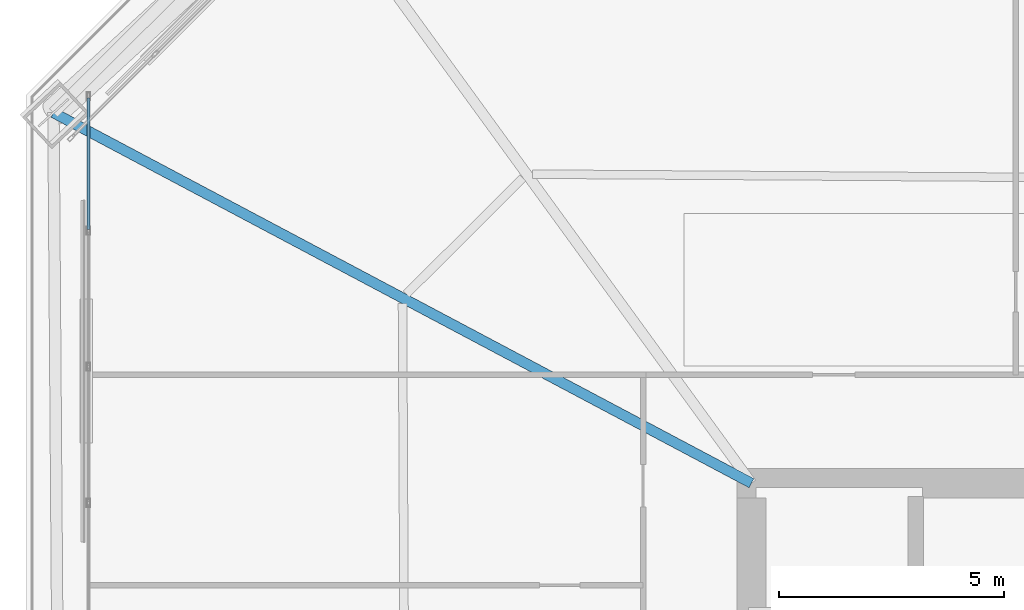
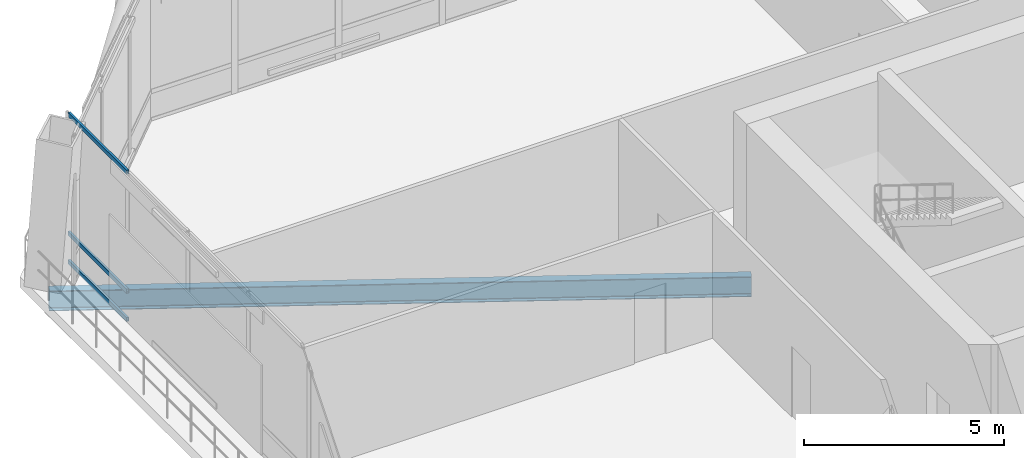
# One storey, part 30 of 48: 3 members, 1 beam, 1 element without a shape of its own.
"""IFC4 building model written with IfcOpenShell, lengths in metres."""

import ifcopenshell
import ifcopenshell.guid

model = None  # the IFC model being written
_history = None  # IfcOwnerHistory: only IFC2X3 demands one
_inside = {}  # id of a spatial element -> (the spatial element, [elements in it])
_under = {}  # id of a project, library or spatial element -> (it, [spatial elements below it])
_declared = {}  # id of a project -> (the project, [libraries it declares])
_typed = {}  # id of a type object -> (the type object, [elements of that type])
_made_of = {}  # id of a material, layer set ... -> (it, [elements and type objects made of it])


def new_model(schema):
    """Start an empty IFC model of exactly this schema.

    Asked for "IFC4X3", IfcOpenShell would pick the latest addendum, in which some entities
    have other attributes; the version numbers below select the first issue.
    IFC2X3 requires an IfcOwnerHistory on every rooted entity: one is made here for all.
    """
    global model, _history
    if schema == "IFC4X3":
        model = ifcopenshell.file(schema_version=(4, 3, 0, 0))
    else:
        model = ifcopenshell.file(schema=schema)
    _inside.clear()
    _under.clear()
    _declared.clear()
    _typed.clear()
    _made_of.clear()
    _history = None
    if model.schema == "IFC2X3":
        org = make("IfcOrganization", Name="unknown")
        user = make(
            "IfcPersonAndOrganization",
            ThePerson=make("IfcPerson", FamilyName="unknown"),
            TheOrganization=org,
        )
        app = make(
            "IfcApplication",
            ApplicationDeveloper=org,
            Version="unknown",
            ApplicationFullName="unknown",
            ApplicationIdentifier="unknown",
        )
        _history = make(
            "IfcOwnerHistory",
            OwningUser=user,
            OwningApplication=app,
            ChangeAction="ADDED",
            CreationDate=0,
        )
    return model


def make(cls, **values):
    """One entity of the class cls with the attributes given. An attribute that is None is left unset."""
    return model.create_entity(
        cls, **{name: value for name, value in values.items() if value is not None}
    )


def rooted(cls, **values):
    """An entity with a GlobalId (a new one), such as an element, a storey or a relation."""
    return make(cls, GlobalId=ifcopenshell.guid.new(), OwnerHistory=_history, **values)


def si_unit(unit_type, name, prefix=None):
    """IfcSIUnit, for example si_unit("LENGTHUNIT", "METRE", prefix="MILLI")."""
    return make("IfcSIUnit", UnitType=unit_type, Prefix=prefix, Name=name)


def assignment(units):
    """IfcUnitAssignment: the units of a project."""
    return None if units is None else make("IfcUnitAssignment", Units=units)


def point(xyz):
    """IfcCartesianPoint."""
    return None if xyz is None else make("IfcCartesianPoint", Coordinates=xyz)


def direction(xyz):
    """IfcDirection."""
    return None if xyz is None else make("IfcDirection", DirectionRatios=xyz)


def frame(location, z_axis=None, x_axis=None):
    """IfcAxis2Placement3D, a coordinate frame: its origin and axes. An axis left out is left unset."""
    return make(
        "IfcAxis2Placement3D",
        Location=point(location),
        Axis=direction(z_axis),
        RefDirection=direction(x_axis),
    )


def frame_2d(location, x_axis=None):
    """IfcAxis2Placement2D, a coordinate frame in the plane: its origin and x axis."""
    return make(
        "IfcAxis2Placement2D", Location=point(location), RefDirection=direction(x_axis)
    )


def origin():
    """The frame at (0, 0, 0) with its axes left unset."""
    return frame((0.0, 0.0, 0.0))


def origin_2d():
    """The frame at (0, 0) in the plane with its x axis left unset."""
    return frame_2d((0.0, 0.0))


def place(relative_to, where):
    """IfcLocalPlacement: puts the frame where relative to a parent placement (None: the world)."""
    return make(
        "IfcLocalPlacement", PlacementRelTo=relative_to, RelativePlacement=where
    )


def context(
    kind, dimensions, precision=None, world=None, true_north=None, identifier=None
):
    """IfcGeometricRepresentationContext, for example the 3D "Model" context."""
    return make(
        "IfcGeometricRepresentationContext",
        ContextIdentifier=identifier,
        ContextType=kind,
        CoordinateSpaceDimension=dimensions,
        Precision=precision,
        WorldCoordinateSystem=world,
        TrueNorth=true_north,
    )


def subcontext(parent, identifier, kind, view, scale=None):
    """IfcGeometricRepresentationSubContext, for example "Body" below "Model"."""
    return make(
        "IfcGeometricRepresentationSubContext",
        ContextIdentifier=identifier,
        ContextType=kind,
        ParentContext=parent,
        TargetScale=scale,
        TargetView=view,
    )


def project(units=None, contexts=None):
    """IfcProject with its units and contexts."""
    return rooted(
        "IfcProject",
        Name="project",
        RepresentationContexts=contexts,
        UnitsInContext=assignment(units),
    )


def spatial(cls, under=None, at=None, **own):
    """A site, building, storey or space (cls), placed at a placement, below another one or the project."""
    s = rooted(cls, ObjectPlacement=at, **own)
    if under is not None:
        _under.setdefault(under.id(), (under, []))[1].append(s)
    return s


def profile(cls, at=None, kind="AREA", **sizes):
    """A parametric profile (cls). Its sizes go by their IFC names, for example OverallWidth=200.0."""
    return make(cls, ProfileType=kind, Position=at, **sizes)


def hollow_rectangle(**sizes):
    """IfcRectangleHollowProfileDef."""
    return profile("IfcRectangleHollowProfileDef", **sizes)


def i_section(**sizes):
    """IfcIShapeProfileDef."""
    return profile("IfcIShapeProfileDef", **sizes)


def extrude(swept, where, along, depth):
    """IfcExtrudedAreaSolid: the profile swept, set in the frame where, extruded along a direction by depth."""
    return make(
        "IfcExtrudedAreaSolid",
        SweptArea=swept,
        Position=where,
        ExtrudedDirection=direction(along),
        Depth=depth,
    )


def shape(context_of_items, identifier, shape_type, items):
    """IfcShapeRepresentation: the items that make up one representation, for example the "Body"."""
    return make(
        "IfcShapeRepresentation",
        ContextOfItems=context_of_items,
        RepresentationIdentifier=identifier,
        RepresentationType=shape_type,
        Items=items,
    )


def material(Name=None, Category=None):
    """IfcMaterial."""
    return make("IfcMaterial", Name=Name, Category=Category)


def layer(
    of_material, thickness, ventilated=None, Name=None, Category=None, Priority=None
):
    """IfcMaterialLayer: one layer of a wall or slab, of a material (None: an air gap)."""
    return make(
        "IfcMaterialLayer",
        Material=of_material,
        LayerThickness=thickness,
        IsVentilated=ventilated,
        Name=Name,
        Category=Category,
        Priority=Priority,
    )


def layer_set(layers, Name=None):
    """IfcMaterialLayerSet."""
    return make("IfcMaterialLayerSet", MaterialLayers=layers, LayerSetName=Name)


def material_profile(
    of_material, cross_section, Name=None, Category=None, Priority=None
):
    """IfcMaterialProfile: a cross section and its material."""
    return make(
        "IfcMaterialProfile",
        Name=Name,
        Material=of_material,
        Profile=cross_section,
        Priority=Priority,
        Category=Category,
    )


def profile_set(profiles, Name=None, composite=None):
    """IfcMaterialProfileSet."""
    return make(
        "IfcMaterialProfileSet",
        Name=Name,
        MaterialProfiles=profiles,
        CompositeProfile=composite,
    )


def made_of(thing, what):
    """Note that an element or type object is made of a material, layer set ...; save() writes the relation."""
    if what is not None:
        _made_of.setdefault(what.id(), (what, []))[1].append(thing)
    return thing


def type_object(cls, material=None, **own):
    """A type object (cls), such as IfcWallType, which elements share."""
    return made_of(rooted(cls, **own), material)


def element(
    cls,
    number,
    at=None,
    inside=None,
    cuts=None,
    type_object=None,
    material=None,
    context=None,
    identifier="Body",
    shape_type=None,
    held_by="IfcProductDefinitionShape",
    body=None,
    shapes=None,
    **own,
):
    """One element of the class cls, such as IfcWall. Its Tag is "e" and its number.

    at: its placement. inside: the storey or other place that contains it. cuts: it is an
    opening in that element (IfcRelVoidsElement). A single representation is given by context,
    identifier, shape_type and body (its items); several are given by shapes. held_by: the class
    of the entity that holds the representations. save() writes the other relations.
    """
    e = rooted(cls, Tag="e%d" % number, ObjectPlacement=at, **own)
    if body is not None:
        shapes = [shape(context, identifier, shape_type, body)]
    if shapes is not None:
        e.Representation = make(held_by, Representations=shapes)
    if inside is not None:
        _inside.setdefault(inside.id(), (inside, []))[1].append(e)
    if cuts is not None:
        rooted(
            "IfcRelVoidsElement", RelatingBuildingElement=cuts, RelatedOpeningElement=e
        )
    if type_object is not None:
        _typed.setdefault(type_object.id(), (type_object, []))[1].append(e)
    return made_of(e, material)


def aggregate(whole, parts):
    """IfcRelAggregates: a whole, such as a stair, and the parts it consists of."""
    return rooted("IfcRelAggregates", RelatingObject=whole, RelatedObjects=parts)


def save(model, path):
    """Write the relations noted so far, then the file.

    IfcRelAggregates (storeys below a building ...), IfcRelContainedInSpatialStructure (elements
    in a storey), IfcRelDefinesByType, IfcRelAssociatesMaterial and IfcRelDeclares: one each for
    every whole, place, type object, material and project.
    """
    for whole, parts in _under.values():
        aggregate(whole, parts)
    for where, things in _inside.values():
        rooted(
            "IfcRelContainedInSpatialStructure",
            RelatedElements=things,
            RelatingStructure=where,
        )
    for kind, things in _typed.values():
        rooted("IfcRelDefinesByType", RelatedObjects=things, RelatingType=kind)
    for what, things in _made_of.values():
        rooted("IfcRelAssociatesMaterial", RelatedObjects=things, RelatingMaterial=what)
    for by, libraries in _declared.values():
        rooted("IfcRelDeclares", RelatingContext=by, RelatedDefinitions=libraries)
    model.write(path)


model = new_model("IFC4")

# Units and contexts
model_context = context("Model", 3, precision=1e-05, world=origin(), true_north=direction((0.0, 1.0)))
body_context = subcontext(model_context, "Body", "Model", "MODEL_VIEW")
ifc_project = project(units=[si_unit("LENGTHUNIT", "METRE"), si_unit("AREAUNIT", "SQUARE_METRE"), si_unit("VOLUMEUNIT", "CUBIC_METRE"), si_unit("PLANEANGLEUNIT", "RADIAN"), si_unit("MASSUNIT", "GRAM", prefix="KILO")], contexts=[model_context])

# Site, building, storey
site_placement = place(None, origin())
site = spatial("IfcSite", under=ifc_project, at=site_placement, CompositionType="ELEMENT")
building_placement = place(site_placement, origin())
building = spatial("IfcBuilding", under=site, at=building_placement, Name="Caelvoria Tower", CompositionType="ELEMENT")
storey_placement = place(building_placement, frame((0.0, 0.0, 90.39990234375)))
storey = spatial("IfcBuildingStorey", under=building, at=storey_placement, Name="L23", CompositionType="ELEMENT", Elevation=90.39990234375)

# Curtain wall, members
ifc_material_1 = material(Name="Anodised Bronze Aluminium and Low-E Glass", Category="aluminium")
ifc_layer = layer(ifc_material_1, 0.2099609375, Name="Anodised Bronze Aluminium and Low-E Glass")
ifc_layer_set = layer_set([ifc_layer], Name="CW System 3 Sky Lobby Double-Height Acoustic Facade - Anodised Bronze Aluminium and Low-E Glass")
curtain_wall_type = type_object("IfcCurtainWallType", Name="CW System 3 Sky Lobby Double-Height Acoustic Facade", PredefinedType="NOTDEFINED", material=ifc_layer_set)
curtain_wall_placement = place(storey_placement, origin())
curtain_wall = element("IfcCurtainWall", 1, at=curtain_wall_placement, inside=storey, type_object=curtain_wall_type, Name="CW-03 Curtain Wall L23-E6", PredefinedType="NOTDEFINED")
ifc_material_2 = material(Name="Anodised Bronze Architectural Aluminium", Category="aluminium")
ifc_material_profile_1 = material_profile(ifc_material_2, hollow_rectangle(XDim=0.06494140625, YDim=0.1298828125, WallThickness=0.00341796875, at=origin_2d()), Name="Anodised Bronze Architectural Aluminium")
ifc_profile_set_1 = profile_set([ifc_material_profile_1], Name="CW_TRAN_65X130 - Anodised Bronze Architectural Aluminium")
member_type = type_object("IfcMemberType", Name="Curtain Wall Transom 65x130 Bronze Aluminium", PredefinedType="USERDEFINED", material=ifc_profile_set_1)
member_1_placement = place(storey_placement, frame((22.26318359375, 48.563232421875, 0.03271484375), z_axis=(0.0, -1.0, 0.0), x_axis=(1.0, 0.0, 0.0)))
member_1 = element("IfcMember", 2, at=member_1_placement, type_object=member_type, Name="CW-03 transom 1.1", ObjectType="TRANSOM", PredefinedType="USERDEFINED", context=body_context, shape_type="SweptSolid", body=[
    extrude(hollow_rectangle(XDim=0.06494140625, YDim=0.1298828125, WallThickness=0.00341796875, at=origin_2d()), origin(), (0.0, 0.0, 1.0), 2.919189453125),
])
member_2_placement = place(storey_placement, frame((22.26318359375, 48.563232421875, 0.900146484375), z_axis=(0.0, -1.0, 0.0), x_axis=(1.0, 0.0, 0.0)))
member_2 = element("IfcMember", 3, at=member_2_placement, type_object=member_type, Name="CW-03 transom 1.2", ObjectType="TRANSOM", PredefinedType="USERDEFINED", context=body_context, shape_type="SweptSolid", body=[
    extrude(hollow_rectangle(XDim=0.06494140625, YDim=0.1298828125, WallThickness=0.00341796875, at=origin_2d()), origin(), (0.0, 0.0, 1.0), 2.919189453125),
])
member_3_placement = place(storey_placement, frame((22.26318359375, 48.563232421875, 4.527587890625), z_axis=(0.0, -1.0, 0.0), x_axis=(1.0, 0.0, 0.0)))
member_3 = element("IfcMember", 4, at=member_3_placement, type_object=member_type, Name="CW-03 transom 1.3", ObjectType="TRANSOM", PredefinedType="USERDEFINED", context=body_context, shape_type="SweptSolid", body=[
    extrude(hollow_rectangle(XDim=0.06494140625, YDim=0.1298828125, WallThickness=0.00341796875, at=origin_2d()), origin(), (0.0, 0.0, 1.0), 2.919189453125),
])
aggregate(curtain_wall, [member_1, member_2, member_3])

# Beam
ifc_material_3 = material(Name="Structural Steel ASTM A992 Gr.50", Category="steel")
ifc_material_profile_2 = material_profile(ifc_material_3, i_section(OverallWidth=0.22900390625, OverallDepth=0.612060546875, WebThickness=0.011962890625, FlangeThickness=0.01953125, FilletRadius=0.01806640625, at=origin_2d()), Name="Structural Steel ASTM A992 Gr.50")
ifc_profile_set_2 = profile_set([ifc_material_profile_2], Name="W610X125 - Structural Steel ASTM A992 Gr.50")
beam_type = type_object("IfcBeamType", Name="Primary Radial Floor Girder W610X125", PredefinedType="BEAM", material=ifc_profile_set_2)
beam_placement = place(storey_placement, frame((37.0, 40.0, -0.6259765625), z_axis=(-0.883286067576, 0.468834430078, 0.0), x_axis=(-0.468834430078, -0.883286067576, 0.0)))
element("IfcBeam", 5, at=beam_placement, inside=storey, type_object=beam_type, Name="Primary Floor Girder L23-09", PredefinedType="BEAM", context=body_context, shape_type="SweptSolid", body=[
    extrude(i_section(OverallWidth=0.22900390625, OverallDepth=0.612060546875, WebThickness=0.011962890625, FlangeThickness=0.01953125, FilletRadius=0.01806640625, at=origin_2d()), origin(), (0.0, 0.0, 1.0), 17.566650390625),
])

save(model, "model.ifc")
